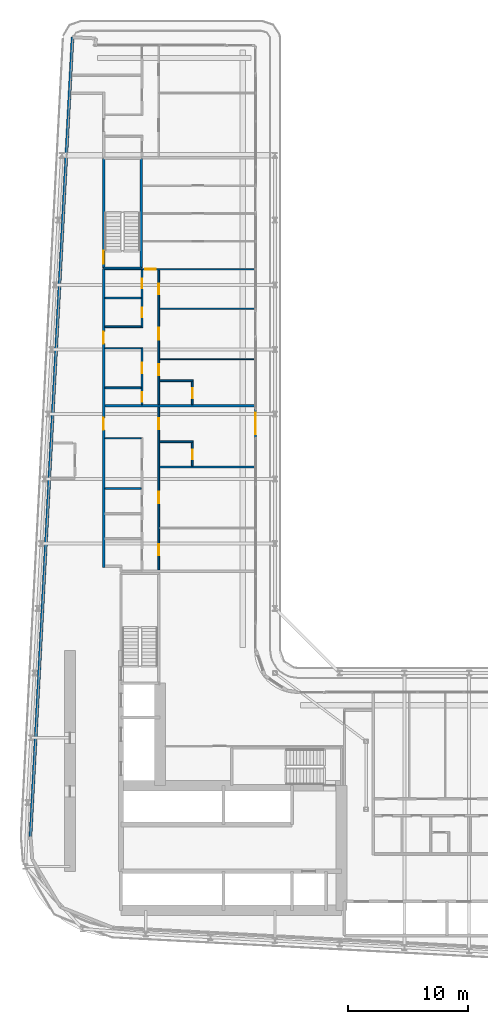
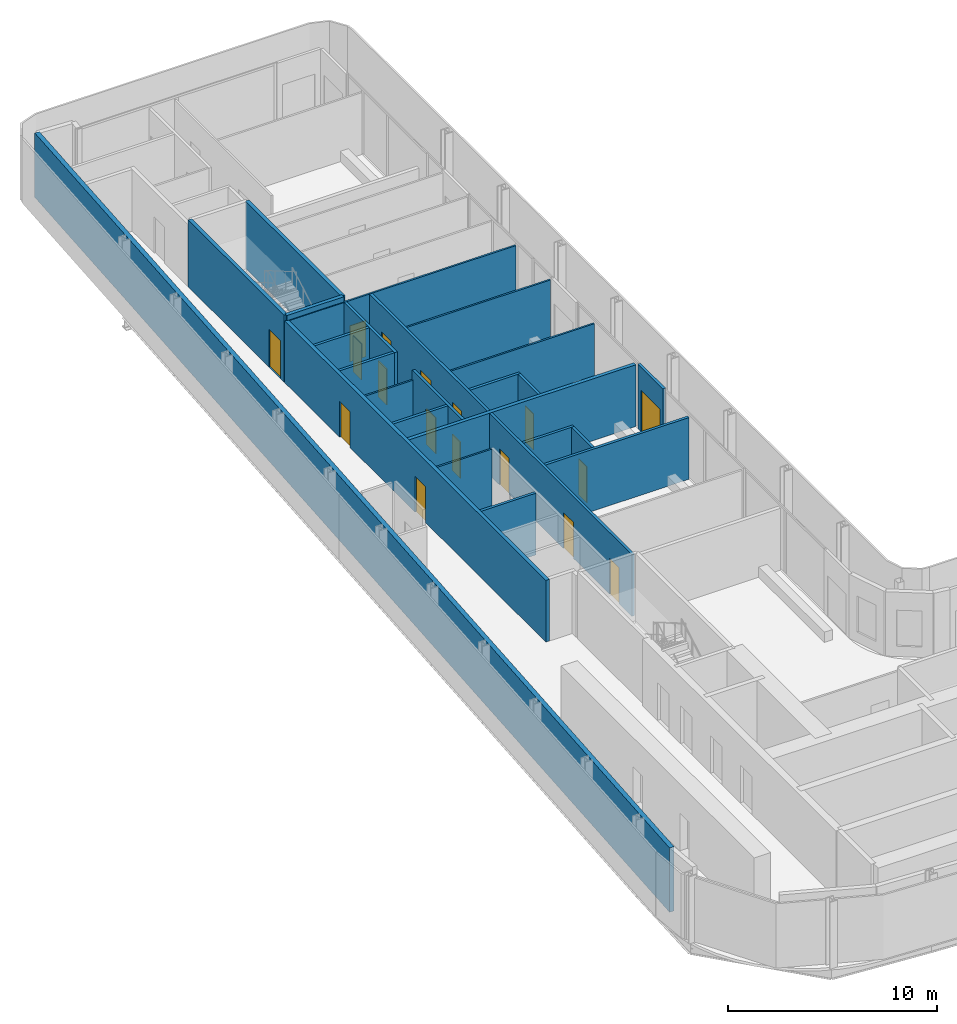
# One storey, part 17 of 28: 25 walls, 17 doors, 17 openings.
"""IFC4 building model written with IfcOpenShell, lengths in metres."""

import ifcopenshell
import ifcopenshell.guid

model = None  # the IFC model being written
_history = None  # IfcOwnerHistory: only IFC2X3 demands one
_inside = {}  # id of a spatial element -> (the spatial element, [elements in it])
_under = {}  # id of a project, library or spatial element -> (it, [spatial elements below it])
_declared = {}  # id of a project -> (the project, [libraries it declares])
_typed = {}  # id of a type object -> (the type object, [elements of that type])
_made_of = {}  # id of a material, layer set ... -> (it, [elements and type objects made of it])


def new_model(schema):
    """Start an empty IFC model of exactly this schema.

    Asked for "IFC4X3", IfcOpenShell would pick the latest addendum, in which some entities
    have other attributes; the version numbers below select the first issue.
    IFC2X3 requires an IfcOwnerHistory on every rooted entity: one is made here for all.
    """
    global model, _history
    if schema == "IFC4X3":
        model = ifcopenshell.file(schema_version=(4, 3, 0, 0))
    else:
        model = ifcopenshell.file(schema=schema)
    _inside.clear()
    _under.clear()
    _declared.clear()
    _typed.clear()
    _made_of.clear()
    _history = None
    if model.schema == "IFC2X3":
        org = make("IfcOrganization", Name="unknown")
        user = make(
            "IfcPersonAndOrganization",
            ThePerson=make("IfcPerson", FamilyName="unknown"),
            TheOrganization=org,
        )
        app = make(
            "IfcApplication",
            ApplicationDeveloper=org,
            Version="unknown",
            ApplicationFullName="unknown",
            ApplicationIdentifier="unknown",
        )
        _history = make(
            "IfcOwnerHistory",
            OwningUser=user,
            OwningApplication=app,
            ChangeAction="ADDED",
            CreationDate=0,
        )
    return model


def make(cls, **values):
    """One entity of the class cls with the attributes given. An attribute that is None is left unset."""
    return model.create_entity(
        cls, **{name: value for name, value in values.items() if value is not None}
    )


def rooted(cls, **values):
    """An entity with a GlobalId (a new one), such as an element, a storey or a relation."""
    return make(cls, GlobalId=ifcopenshell.guid.new(), OwnerHistory=_history, **values)


def si_unit(unit_type, name, prefix=None):
    """IfcSIUnit, for example si_unit("LENGTHUNIT", "METRE", prefix="MILLI")."""
    return make("IfcSIUnit", UnitType=unit_type, Prefix=prefix, Name=name)


def assignment(units):
    """IfcUnitAssignment: the units of a project."""
    return None if units is None else make("IfcUnitAssignment", Units=units)


def point(xyz):
    """IfcCartesianPoint."""
    return None if xyz is None else make("IfcCartesianPoint", Coordinates=xyz)


def direction(xyz):
    """IfcDirection."""
    return None if xyz is None else make("IfcDirection", DirectionRatios=xyz)


def frame(location, z_axis=None, x_axis=None):
    """IfcAxis2Placement3D, a coordinate frame: its origin and axes. An axis left out is left unset."""
    return make(
        "IfcAxis2Placement3D",
        Location=point(location),
        Axis=direction(z_axis),
        RefDirection=direction(x_axis),
    )


def frame_2d(location, x_axis=None):
    """IfcAxis2Placement2D, a coordinate frame in the plane: its origin and x axis."""
    return make(
        "IfcAxis2Placement2D", Location=point(location), RefDirection=direction(x_axis)
    )


def origin():
    """The frame at (0, 0, 0) with its axes left unset."""
    return frame((0.0, 0.0, 0.0))


def place(relative_to, where):
    """IfcLocalPlacement: puts the frame where relative to a parent placement (None: the world)."""
    return make(
        "IfcLocalPlacement", PlacementRelTo=relative_to, RelativePlacement=where
    )


def context(
    kind, dimensions, precision=None, world=None, true_north=None, identifier=None
):
    """IfcGeometricRepresentationContext, for example the 3D "Model" context."""
    return make(
        "IfcGeometricRepresentationContext",
        ContextIdentifier=identifier,
        ContextType=kind,
        CoordinateSpaceDimension=dimensions,
        Precision=precision,
        WorldCoordinateSystem=world,
        TrueNorth=true_north,
    )


def subcontext(parent, identifier, kind, view, scale=None):
    """IfcGeometricRepresentationSubContext, for example "Body" below "Model"."""
    return make(
        "IfcGeometricRepresentationSubContext",
        ContextIdentifier=identifier,
        ContextType=kind,
        ParentContext=parent,
        TargetScale=scale,
        TargetView=view,
    )


def project(units=None, contexts=None):
    """IfcProject with its units and contexts."""
    return rooted(
        "IfcProject",
        Name="project",
        RepresentationContexts=contexts,
        UnitsInContext=assignment(units),
    )


def spatial(cls, under=None, at=None, **own):
    """A site, building, storey or space (cls), placed at a placement, below another one or the project."""
    s = rooted(cls, ObjectPlacement=at, **own)
    if under is not None:
        _under.setdefault(under.id(), (under, []))[1].append(s)
    return s


def profile(cls, at=None, kind="AREA", **sizes):
    """A parametric profile (cls). Its sizes go by their IFC names, for example OverallWidth=200.0."""
    return make(cls, ProfileType=kind, Position=at, **sizes)


def rectangle(**sizes):
    """IfcRectangleProfileDef."""
    return profile("IfcRectangleProfileDef", **sizes)


def extrude(swept, where, along, depth):
    """IfcExtrudedAreaSolid: the profile swept, set in the frame where, extruded along a direction by depth."""
    return make(
        "IfcExtrudedAreaSolid",
        SweptArea=swept,
        Position=where,
        ExtrudedDirection=direction(along),
        Depth=depth,
    )


def shape(context_of_items, identifier, shape_type, items):
    """IfcShapeRepresentation: the items that make up one representation, for example the "Body"."""
    return make(
        "IfcShapeRepresentation",
        ContextOfItems=context_of_items,
        RepresentationIdentifier=identifier,
        RepresentationType=shape_type,
        Items=items,
    )


def source(mapping_origin, context_of_items, identifier, shape_type, items):
    """IfcRepresentationMap: a shape defined once, which mapped items show again and again."""
    return make(
        "IfcRepresentationMap",
        MappingOrigin=mapping_origin,
        MappedRepresentation=shape(context_of_items, identifier, shape_type, items),
    )


def transform(
    local_origin,
    x_axis=None,
    y_axis=None,
    z_axis=None,
    scale=None,
    scale2=None,
    scale3=None,
    uniform=True,
):
    """IfcCartesianTransformationOperator3D, or its non-uniform kind. x_axis, y_axis, z_axis: its Axis1, 2, 3."""
    if uniform:
        return make(
            "IfcCartesianTransformationOperator3D",
            Axis1=direction(x_axis),
            Axis2=direction(y_axis),
            LocalOrigin=point(local_origin),
            Scale=scale,
            Axis3=direction(z_axis),
        )
    return make(
        "IfcCartesianTransformationOperator3DnonUniform",
        Axis1=direction(x_axis),
        Axis2=direction(y_axis),
        LocalOrigin=point(local_origin),
        Scale=scale,
        Axis3=direction(z_axis),
        Scale2=scale2,
        Scale3=scale3,
    )


def mapped(mapping_source, mapping_target):
    """IfcMappedItem: shows the shape of a source again, moved by a transform."""
    return make(
        "IfcMappedItem", MappingSource=mapping_source, MappingTarget=mapping_target
    )


def material(Name=None, Category=None):
    """IfcMaterial."""
    return make("IfcMaterial", Name=Name, Category=Category)


def layer(
    of_material, thickness, ventilated=None, Name=None, Category=None, Priority=None
):
    """IfcMaterialLayer: one layer of a wall or slab, of a material (None: an air gap)."""
    return make(
        "IfcMaterialLayer",
        Material=of_material,
        LayerThickness=thickness,
        IsVentilated=ventilated,
        Name=Name,
        Category=Category,
        Priority=Priority,
    )


def layer_set(layers, Name=None):
    """IfcMaterialLayerSet."""
    return make("IfcMaterialLayerSet", MaterialLayers=layers, LayerSetName=Name)


def made_of(thing, what):
    """Note that an element or type object is made of a material, layer set ...; save() writes the relation."""
    if what is not None:
        _made_of.setdefault(what.id(), (what, []))[1].append(thing)
    return thing


def type_object(cls, material=None, **own):
    """A type object (cls), such as IfcWallType, which elements share."""
    return made_of(rooted(cls, **own), material)


def element(
    cls,
    number,
    at=None,
    inside=None,
    cuts=None,
    type_object=None,
    material=None,
    context=None,
    identifier="Body",
    shape_type=None,
    held_by="IfcProductDefinitionShape",
    body=None,
    shapes=None,
    **own,
):
    """One element of the class cls, such as IfcWall. Its Tag is "e" and its number.

    at: its placement. inside: the storey or other place that contains it. cuts: it is an
    opening in that element (IfcRelVoidsElement). A single representation is given by context,
    identifier, shape_type and body (its items); several are given by shapes. held_by: the class
    of the entity that holds the representations. save() writes the other relations.
    """
    e = rooted(cls, Tag="e%d" % number, ObjectPlacement=at, **own)
    if body is not None:
        shapes = [shape(context, identifier, shape_type, body)]
    if shapes is not None:
        e.Representation = make(held_by, Representations=shapes)
    if inside is not None:
        _inside.setdefault(inside.id(), (inside, []))[1].append(e)
    if cuts is not None:
        rooted(
            "IfcRelVoidsElement", RelatingBuildingElement=cuts, RelatedOpeningElement=e
        )
    if type_object is not None:
        _typed.setdefault(type_object.id(), (type_object, []))[1].append(e)
    return made_of(e, material)


def fill(opening, filler):
    """IfcRelFillsElement: the door or window that sits in an opening."""
    return rooted(
        "IfcRelFillsElement",
        RelatingOpeningElement=opening,
        RelatedBuildingElement=filler,
    )


def aggregate(whole, parts):
    """IfcRelAggregates: a whole, such as a stair, and the parts it consists of."""
    return rooted("IfcRelAggregates", RelatingObject=whole, RelatedObjects=parts)


def save(model, path):
    """Write the relations noted so far, then the file.

    IfcRelAggregates (storeys below a building ...), IfcRelContainedInSpatialStructure (elements
    in a storey), IfcRelDefinesByType, IfcRelAssociatesMaterial and IfcRelDeclares: one each for
    every whole, place, type object, material and project.
    """
    for whole, parts in _under.values():
        aggregate(whole, parts)
    for where, things in _inside.values():
        rooted(
            "IfcRelContainedInSpatialStructure",
            RelatedElements=things,
            RelatingStructure=where,
        )
    for kind, things in _typed.values():
        rooted("IfcRelDefinesByType", RelatedObjects=things, RelatingType=kind)
    for what, things in _made_of.values():
        rooted("IfcRelAssociatesMaterial", RelatedObjects=things, RelatingMaterial=what)
    for by, libraries in _declared.values():
        rooted("IfcRelDeclares", RelatingContext=by, RelatedDefinitions=libraries)
    model.write(path)


model = new_model("IFC4")

# Units and contexts
model_context = context("Model", 3, precision=1e-05, world=origin(), true_north=direction((0.0, 1.0)))
body_context = subcontext(model_context, "Body", "Model", "MODEL_VIEW")
ifc_project = project(units=[si_unit("LENGTHUNIT", "METRE"), si_unit("AREAUNIT", "SQUARE_METRE"), si_unit("VOLUMEUNIT", "CUBIC_METRE"), si_unit("PLANEANGLEUNIT", "RADIAN"), si_unit("MASSUNIT", "GRAM", prefix="KILO")], contexts=[model_context])

# Site, building, storey
site_placement = place(None, origin())
site = spatial("IfcSite", under=ifc_project, at=site_placement, CompositionType="ELEMENT")
building_placement = place(site_placement, origin())
building = spatial("IfcBuilding", under=site, at=building_placement, Name="Kheshtan School and Residences Tower", CompositionType="ELEMENT")
storey_placement = place(building_placement, frame((0.0, 0.0, 140.89990234375)))
storey = spatial("IfcBuildingStorey", under=building, at=storey_placement, Name="L33", CompositionType="ELEMENT", Elevation=140.89990234375)

# Wall, openings, doors
ifc_material_1 = material(Name="Gypsum board on steel studs with fire boards", Category="steel")
ifc_layer_1 = layer(ifc_material_1, 0.199951171875)
ifc_layer_set_1 = layer_set([ifc_layer_1], Name="Corridor wall 200")
wall_type_1 = type_object("IfcWallType", Name="Corridor wall 200", PredefinedType="PARTITIONING", material=ifc_layer_set_1)
wall_1_placement = place(storey_placement, frame((33.300048828125, 54.39990234375, 0.0), z_axis=(0.0, 0.0, 1.0), x_axis=(0.0, 1.0, 0.0)))
wall_1 = element("IfcWall", 1, at=wall_1_placement, inside=storey, type_object=wall_type_1, Name="Partition L33-003", PredefinedType="PARTITIONING", context=body_context, shape_type="SweptSolid", body=[
    extrude(rectangle(XDim=24.9501953125, YDim=0.199951171875, at=frame_2d((12.47509765625, 0.0))), origin(), (0.0, 0.0, 1.0), 3.60009765625),
])
opening_1_placement = place(wall_1_placement, frame((11.5, 0.0, 0.0)))
opening_1 = element("IfcOpeningElement", 2, at=opening_1_placement, cuts=wall_1, Name="Opening D32-038", PredefinedType="OPENING", context=body_context, shape_type="SweptSolid", body=[
    extrude(rectangle(XDim=1.0, YDim=2.10009765625, at=frame_2d((0.5, 1.050048828125))), frame((0.0, 0.10986328125, 0.0), z_axis=(0.0, -1.0, 0.0), x_axis=(1.0, 0.0, 0.0)), (0.0, 0.0, 1.0), 0.219970703125),
])
opening_2_placement = place(wall_1_placement, frame((18.699951171875, 0.0, 0.0)))
opening_2 = element("IfcOpeningElement", 3, at=opening_2_placement, cuts=wall_1, Name="Opening D32-048", PredefinedType="OPENING", context=body_context, shape_type="SweptSolid", body=[
    extrude(rectangle(XDim=1.0, YDim=2.10009765625, at=frame_2d((0.5, 1.050048828125))), frame((0.0, 0.10986328125, 0.0), z_axis=(0.0, -1.0, 0.0), x_axis=(1.0, 0.0, 0.0)), (0.0, 0.0, 1.0), 0.219970703125),
])
ifc_material_2 = material(Name="Steel-framed fire-resisting door leaf", Category="steel")
door_type_1 = type_object("IfcDoorType", Name="Fire door FD30S 1000 x 2100", OperationType="SINGLE_SWING_LEFT", PredefinedType="DOOR", material=ifc_material_2)
shared_shape_1 = source(origin(), body_context, "Body", "SweptSolid", [
    extrude(rectangle(XDim=1.0, YDim=2.10009765625, at=frame_2d((0.5, 1.050048828125))), frame((0.0, 0.02490234375, 0.0), z_axis=(0.0, -1.0, 0.0), x_axis=(1.0, 0.0, 0.0)), (0.0, 0.0, 1.0), 0.050048828125),
])
door_1_placement = place(opening_1_placement, origin())
door_1 = element("IfcDoor", 4, at=door_1_placement, inside=storey, type_object=door_type_1, Name="Door D32-038", OperationType="SINGLE_SWING_RIGHT", OverallHeight=2.10009765625, OverallWidth=1.0, PredefinedType="DOOR", context=body_context, shape_type="MappedRepresentation", body=[
    mapped(shared_shape_1, transform((0.0, 0.0, 0.0), x_axis=(1.0, 0.0, 0.0), y_axis=(0.0, 1.0, 0.0), z_axis=(0.0, 0.0, 1.0), scale=1.0)),
])
fill(opening_1, door_1)
door_2_placement = place(opening_2_placement, origin())
door_2 = element("IfcDoor", 5, at=door_2_placement, inside=storey, type_object=door_type_1, Name="Door D32-048", OperationType="SINGLE_SWING_RIGHT", OverallHeight=2.10009765625, OverallWidth=1.0, PredefinedType="DOOR", context=body_context, shape_type="MappedRepresentation", body=[
    mapped(shared_shape_1, transform((0.0, 0.0, 0.0), x_axis=(1.0, 0.0, 0.0), y_axis=(0.0, 1.0, 0.0), z_axis=(0.0, 0.0, 1.0), scale=1.0)),
])
fill(opening_2, door_2)

# Wall
ifc_material_3 = material(Name="Concrete C40/50 with ceramic cladding and mineral wool insulation", Category="concrete")
ifc_layer_2 = layer(ifc_material_3, 0.25)
ifc_layer_set_2 = layer_set([ifc_layer_2], Name="External wall 250 ceramic clad")
wall_type_2 = type_object("IfcWallType", Name="External wall 250 ceramic clad", PredefinedType="SOLIDWALL", material=ifc_layer_set_2)
wall_2_placement = place(storey_placement, frame((27.195068359375, 31.968994140625, 0.0), z_axis=(0.0, 0.0, 1.0), x_axis=(0.052554995867, 0.998618031286, 0.0)))
element("IfcWall", 6, at=wall_2_placement, inside=storey, type_object=wall_type_2, Name="External wall L33 4", PredefinedType="SOLIDWALL", context=body_context, shape_type="SweptSolid", body=[
    extrude(rectangle(XDim=66.787353515625, YDim=0.25, at=frame_2d((33.3935546875, 0.0))), origin(), (0.0, 0.0, 1.0), 3.75),
])

# Wall, opening, door
ifc_material_4 = material(Name="Aluminium frame wall with insulated infill", Category="aluminium")
ifc_layer_3 = layer(ifc_material_4, 0.14990234375)
ifc_layer_set_3 = layer_set([ifc_layer_3], Name="Glazing frame wall 150")
wall_type_3 = type_object("IfcWallType", Name="Glazing frame wall 150", PredefinedType="SOLIDWALL", material=ifc_layer_set_3)
wall_3_placement = place(storey_placement, frame((45.97509765625, 67.617919921875, 0.0), z_axis=(0.0, 0.0, 1.0), x_axis=(0.0, -1.0, 0.0)))
wall_3 = element("IfcWall", 7, at=wall_3_placement, inside=storey, type_object=wall_type_3, Name="Balcony door wall L33 8.4", PredefinedType="SOLIDWALL", context=body_context, shape_type="SweptSolid", body=[
    extrude(rectangle(XDim=2.39990234375, YDim=0.14990234375, at=frame_2d((1.199951171875, 0.0))), origin(), (0.0, 0.0, 1.0), 3.75),
])
opening_3_placement = place(wall_3_placement, frame((0.300048828125, 0.0, 0.0)))
opening_3 = element("IfcOpeningElement", 8, at=opening_3_placement, cuts=wall_3, Name="Opening BD", PredefinedType="OPENING", context=body_context, shape_type="SweptSolid", body=[
    extrude(rectangle(XDim=1.800048828125, YDim=2.39990234375, at=frame_2d((0.89990234375, 1.199951171875))), frame((0.0, 0.0849609375, 0.0), z_axis=(0.0, -1.0, 0.0), x_axis=(1.0, 0.0, 0.0)), (0.0, 0.0, 1.0), 0.169921875),
])
ifc_material_5 = material(Name="Clear low-e glass in thermally broken aluminium frame", Category="aluminium")
door_type_2 = type_object("IfcDoorType", Name="Balcony sliding door", OperationType="SLIDING_TO_LEFT", PredefinedType="DOOR", material=ifc_material_5)
shared_shape_2 = source(origin(), body_context, "Body", "SweptSolid", [
    extrude(rectangle(XDim=1.800048828125, YDim=2.39990234375, at=frame_2d((0.89990234375, 1.199951171875))), frame((0.0, 0.02490234375, 0.0), z_axis=(0.0, -1.0, 0.0), x_axis=(1.0, 0.0, 0.0)), (0.0, 0.0, 1.0), 0.050048828125),
])
door_3_placement = place(opening_3_placement, origin())
door_3 = element("IfcDoor", 9, at=door_3_placement, inside=storey, type_object=door_type_2, Name="Balcony door L33 8.4", OperationType="SLIDING_TO_LEFT", OverallHeight=2.39990234375, OverallWidth=1.800048828125, PredefinedType="DOOR", context=body_context, shape_type="MappedRepresentation", body=[
    mapped(shared_shape_2, transform((0.0, 0.0, 0.0), x_axis=(1.0, 0.0, 0.0), y_axis=(0.0, 1.0, 0.0), z_axis=(0.0, 0.0, 1.0), scale=1.0)),
])
fill(opening_3, door_3)

# Walls
ifc_material_6 = material(Name="Gypsum board on steel studs", Category="steel")
ifc_layer_4 = layer(ifc_material_6, 0.10009765625)
ifc_layer_set_4 = layer_set([ifc_layer_4], Name="Gypsum partition 100")
wall_type_4 = type_object("IfcWallType", Name="Gypsum partition 100", PredefinedType="PARTITIONING", material=ifc_layer_set_4)
wall_4_placement = place(storey_placement, frame((33.39990234375, 65.199951171875, 0.0), z_axis=(0.0, 0.0, 1.0), x_axis=(1.0, 0.0, 0.0)))
element("IfcWall", 10, at=wall_4_placement, inside=storey, type_object=wall_type_4, Name="Partition L33-009", PredefinedType="PARTITIONING", context=body_context, shape_type="SweptSolid", body=[
    extrude(rectangle(XDim=3.025146484375, YDim=0.10009765625, at=frame_2d((1.5126953125, 0.0))), origin(), (0.0, 0.0, 1.0), 3.60009765625),
])
wall_5_placement = place(storey_placement, frame((33.39990234375, 72.699951171875, 0.0), z_axis=(0.0, 0.0, 1.0), x_axis=(1.0, 0.0, 0.0)))
element("IfcWall", 11, at=wall_5_placement, inside=storey, type_object=wall_type_4, Name="Partition L33-012", PredefinedType="PARTITIONING", context=body_context, shape_type="SweptSolid", body=[
    extrude(rectangle(XDim=3.025146484375, YDim=0.10009765625, at=frame_2d((1.5126953125, 0.0))), origin(), (0.0, 0.0, 1.0), 3.072021484375),
])

# Wall, opening, door
wall_6_placement = place(storey_placement, frame((33.39990234375, 79.300048828125, 0.0), z_axis=(0.0, 0.0, 1.0), x_axis=(1.0, 0.0, 0.0)))
wall_6 = element("IfcWall", 12, at=wall_6_placement, inside=storey, type_object=wall_type_4, Name="Partition L33-015", PredefinedType="PARTITIONING", context=body_context, shape_type="SweptSolid", body=[
    extrude(rectangle(XDim=12.5, YDim=0.10009765625, at=frame_2d((6.25, 0.0))), origin(), (0.0, 0.0, 1.0), 3.60009765625),
])
opening_4_placement = place(wall_6_placement, frame((3.35498046875, 0.0, 0.0)))
opening_4 = element("IfcOpeningElement", 13, at=opening_4_placement, cuts=wall_6, Name="Opening D32-053", PredefinedType="OPENING", context=body_context, shape_type="SweptSolid", body=[
    extrude(rectangle(XDim=0.89990234375, YDim=2.10009765625, at=frame_2d((0.449951171875, 1.050048828125))), frame((0.0, 0.06005859375, 0.0), z_axis=(0.0, -1.0, 0.0), x_axis=(1.0, 0.0, 0.0)), (0.0, 0.0, 1.0), 0.1201171875),
])
ifc_material_7 = material(Name="Veneered timber door leaf", Category="wood")
door_type_3 = type_object("IfcDoorType", Name="Door 900 x 2100", OperationType="SINGLE_SWING_LEFT", PredefinedType="DOOR", material=ifc_material_7)
shared_shape_3 = source(origin(), body_context, "Body", "SweptSolid", [
    extrude(rectangle(XDim=0.89990234375, YDim=2.10009765625, at=frame_2d((0.449951171875, 1.050048828125))), frame((0.0, 0.02490234375, 0.0), z_axis=(0.0, -1.0, 0.0), x_axis=(1.0, 0.0, 0.0)), (0.0, 0.0, 1.0), 0.050048828125),
])
door_4_placement = place(opening_4_placement, origin())
door_4 = element("IfcDoor", 14, at=door_4_placement, inside=storey, type_object=door_type_3, Name="Door D32-053", OperationType="SINGLE_SWING_LEFT", OverallHeight=2.10009765625, OverallWidth=0.89990234375, PredefinedType="DOOR", context=body_context, shape_type="MappedRepresentation", body=[
    mapped(shared_shape_3, transform((0.0, 0.0, 0.0), x_axis=(1.0, 0.0, 0.0), y_axis=(0.0, 1.0, 0.0), z_axis=(0.0, 0.0, 1.0), scale=1.0)),
])
fill(opening_4, door_4)

# Walls
for number, where, z_axis, x_axis, name in (
    (15, (37.97509765625, 71.800048828125, 0.0), (0.0, 0.0, 1.0), (1.0, 0.0, 0.0), "Partition L33-038"),
    (16, (37.97509765625, 76.0, 0.0), (0.0, 0.0, 1.0), (1.0, 0.0, 0.0), "Partition L33-039"),
):
    element("IfcWall", number, at=place(storey_placement, frame(where, z_axis=z_axis, x_axis=x_axis)), inside=storey, type_object=wall_type_4, Name=name, PredefinedType="PARTITIONING", context=body_context, shape_type="SweptSolid", body=[
        extrude(rectangle(XDim=7.9248046875, YDim=0.10009765625, at=frame_2d((3.96240234375, 0.0))), origin(), (0.0, 0.0, 1.0), 3.60009765625),
    ])
ifc_material_8 = material(Name="Concrete C40/50", Category="concrete")
ifc_layer_5 = layer(ifc_material_8, 0.199951171875)
ifc_layer_set_5 = layer_set([ifc_layer_5], Name="Stair enclosure wall 200 Concrete C40/50")
wall_type_5 = type_object("IfcWallType", Name="Stair enclosure wall 200 Concrete C40/50", PredefinedType="SHEAR", material=ifc_layer_set_5)
wall_7_placement = place(storey_placement, frame((33.300048828125, 79.39990234375, 0.0), z_axis=(0.0, 0.0, 1.0), x_axis=(1.0, 0.0, 0.0)))
element("IfcWall", 17, at=wall_7_placement, inside=storey, type_object=wall_type_5, Name="Stair enclosure wall ST3", PredefinedType="SHEAR", context=body_context, shape_type="SweptSolid", body=[
    extrude(rectangle(XDim=3.14990234375, YDim=0.199951171875, at=frame_2d((1.574951171875, 0.0))), origin(), (0.0, 0.0, 1.0), 3.900146484375),
])

# Wall, opening, door
wall_8_placement = place(storey_placement, frame((33.300048828125, 79.39990234375, 0.0), z_axis=(0.0, 0.0, 1.0), x_axis=(0.0, 1.0, 0.0)))
wall_8 = element("IfcWall", 18, at=wall_8_placement, inside=storey, type_object=wall_type_5, Name="Stair enclosure wall ST3", PredefinedType="SHEAR", context=body_context, shape_type="SweptSolid", body=[
    extrude(rectangle(XDim=9.16015625, YDim=0.199951171875, at=frame_2d((4.580078125, 0.0))), origin(), (0.0, 0.0, 1.0), 3.900146484375),
])
opening_5_placement = place(wall_8_placement, frame((0.35009765625, 0.0, 0.0)))
opening_5 = element("IfcOpeningElement", 19, at=opening_5_placement, cuts=wall_8, Name="Opening ST3D", PredefinedType="OPENING", context=body_context, shape_type="SweptSolid", body=[
    extrude(rectangle(XDim=1.10009765625, YDim=2.199951171875, at=frame_2d((0.550048828125, 1.10009765625))), frame((0.0, 0.10986328125, 0.0), z_axis=(0.0, -1.0, 0.0), x_axis=(1.0, 0.0, 0.0)), (0.0, 0.0, 1.0), 0.219970703125),
])
ifc_material_9 = material(Name="Steel door leaf, galvanised", Category="steel")
door_type_4 = type_object("IfcDoorType", Name="Stair door 1100 steel 90 min", OperationType="SINGLE_SWING_LEFT", PredefinedType="DOOR", material=ifc_material_9)
shared_shape_4 = source(origin(), body_context, "Body", "SweptSolid", [
    extrude(rectangle(XDim=1.10009765625, YDim=2.199951171875, at=frame_2d((0.550048828125, 1.10009765625))), frame((0.0, 0.02490234375, 0.0), z_axis=(0.0, -1.0, 0.0), x_axis=(1.0, 0.0, 0.0)), (0.0, 0.0, 1.0), 0.050048828125),
])
door_5_placement = place(opening_5_placement, origin())
door_5 = element("IfcDoor", 20, at=door_5_placement, inside=storey, type_object=door_type_4, Name="Stair ST3 door", OperationType="SINGLE_SWING_RIGHT", OverallHeight=2.199951171875, OverallWidth=1.10009765625, PredefinedType="DOOR", context=body_context, shape_type="MappedRepresentation", body=[
    mapped(shared_shape_4, transform((0.0, 0.0, 0.0), x_axis=(1.0, 0.0, 0.0), y_axis=(0.0, 1.0, 0.0), z_axis=(0.0, 0.0, 1.0), scale=1.0)),
])
fill(opening_5, door_5)

# Walls
wall_9_placement = place(storey_placement, frame((36.449951171875, 79.39990234375, 0.0), z_axis=(0.0, 0.0, 1.0), x_axis=(0.0, 1.0, 0.0)))
element("IfcWall", 21, at=wall_9_placement, inside=storey, type_object=wall_type_5, Name="Stair enclosure wall ST3", PredefinedType="SHEAR", context=body_context, shape_type="SweptSolid", body=[
    extrude(rectangle(XDim=9.16015625, YDim=0.199951171875, at=frame_2d((4.580078125, 0.0))), origin(), (0.0, 0.0, 1.0), 3.900146484375),
])
ifc_material_10 = material(Name="Twin gypsum board on steel studs with mineral wool", Category="steel")
ifc_layer_6 = layer(ifc_material_10, 0.199951171875)
ifc_layer_set_6 = layer_set([ifc_layer_6], Name="Unit demising wall 200")
wall_type_6 = type_object("IfcWallType", Name="Unit demising wall 200", PredefinedType="PARTITIONING", material=ifc_layer_set_6)
wall_10_placement = place(storey_placement, frame((33.39990234375, 67.89990234375, 0.0), z_axis=(0.0, 0.0, 1.0), x_axis=(1.0, 0.0, 0.0)))
element("IfcWall", 22, at=wall_10_placement, inside=storey, type_object=wall_type_6, Name="Partition L33-010", PredefinedType="PARTITIONING", context=body_context, shape_type="SweptSolid", body=[
    extrude(rectangle(XDim=12.5, YDim=0.199951171875, at=frame_2d((6.25, 0.0))), origin(), (0.0, 0.0, 1.0), 3.60009765625),
])
ifc_material_11 = material(Name="Moisture-resistant gypsum board on steel studs", Category="steel")
ifc_layer_7 = layer(ifc_material_11, 0.14990234375)
ifc_layer_set_7 = layer_set([ifc_layer_7], Name="Wet-room partition 150")
wall_type_7 = type_object("IfcWallType", Name="Wet-room partition 150", PredefinedType="PARTITIONING", material=ifc_layer_set_7)
for number, where, z_axis, x_axis, name in (
    (23, (33.39990234375, 61.0, 0.0), (0.0, 0.0, 1.0), (1.0, 0.0, 0.0), "Partition L33-008"),
    (24, (33.39990234375, 69.39990234375, 0.0), (0.0, 0.0, 1.0), (1.0, 0.0, 0.0), "Partition L33-011"),
    (25, (33.39990234375, 74.5, 0.0), (0.0, 0.0, 1.0), (1.0, 0.0, 0.0), "Partition L33-013"),
    (26, (33.39990234375, 76.89990234375, 0.0), (0.0, 0.0, 1.0), (1.0, 0.0, 0.0), "Partition L33-014"),
):
    element("IfcWall", number, at=place(storey_placement, frame(where, z_axis=z_axis, x_axis=x_axis)), inside=storey, type_object=wall_type_7, Name=name, PredefinedType="PARTITIONING", context=body_context, shape_type="SweptSolid", body=[
        extrude(rectangle(XDim=3.025146484375, YDim=0.14990234375, at=frame_2d((1.5126953125, 0.0))), origin(), (0.0, 0.0, 1.0), 3.60009765625),
    ])

# Wall, openings, doors
wall_11_placement = place(storey_placement, frame((36.5, 68.0, 0.0), z_axis=(0.0, 0.0, 1.0), x_axis=(0.0, 1.0, 0.0)))
wall_11 = element("IfcWall", 27, at=wall_11_placement, inside=storey, type_object=wall_type_7, Name="Partition L33-023", PredefinedType="PARTITIONING", context=body_context, shape_type="SweptSolid", body=[
    extrude(rectangle(XDim=4.75, YDim=0.14990234375, at=frame_2d((2.375, 0.0))), origin(), (0.0, 0.0, 1.0), 3.60009765625),
])
opening_6_placement = place(wall_11_placement, frame((2.60009765625, 0.0, 0.0)))
opening_6 = element("IfcOpeningElement", 28, at=opening_6_placement, cuts=wall_11, Name="Opening D32-049", PredefinedType="OPENING", context=body_context, shape_type="SweptSolid", body=[
    extrude(rectangle(XDim=0.89990234375, YDim=2.10009765625, at=frame_2d((0.449951171875, 1.050048828125))), frame((0.0, 0.0849609375, 0.0), z_axis=(0.0, -1.0, 0.0), x_axis=(1.0, 0.0, 0.0)), (0.0, 0.0, 1.0), 0.169921875),
])
opening_7_placement = place(wall_11_placement, frame((0.25, 0.0, 0.0)))
opening_7 = element("IfcOpeningElement", 29, at=opening_7_placement, cuts=wall_11, Name="Opening D32-052", PredefinedType="OPENING", context=body_context, shape_type="SweptSolid", body=[
    extrude(rectangle(XDim=0.800048828125, YDim=2.10009765625, at=frame_2d((0.39990234375, 1.050048828125))), frame((0.0, 0.0849609375, 0.0), z_axis=(0.0, -1.0, 0.0), x_axis=(1.0, 0.0, 0.0)), (0.0, 0.0, 1.0), 0.169921875),
])
door_type_5 = type_object("IfcDoorType", Name="Door 800 x 2100", OperationType="SINGLE_SWING_LEFT", PredefinedType="DOOR", material=ifc_material_7)
shared_shape_5 = source(origin(), body_context, "Body", "SweptSolid", [
    extrude(rectangle(XDim=0.800048828125, YDim=2.10009765625, at=frame_2d((0.39990234375, 1.050048828125))), frame((0.0, 0.02490234375, 0.0), z_axis=(0.0, -1.0, 0.0), x_axis=(1.0, 0.0, 0.0)), (0.0, 0.0, 1.0), 0.050048828125),
])
door_6_placement = place(opening_7_placement, origin())
door_6 = element("IfcDoor", 30, at=door_6_placement, inside=storey, type_object=door_type_5, Name="Door D32-052", OperationType="SINGLE_SWING_RIGHT", OverallHeight=2.10009765625, OverallWidth=0.800048828125, PredefinedType="DOOR", context=body_context, shape_type="MappedRepresentation", body=[
    mapped(shared_shape_5, transform((0.0, 0.0, 0.0), x_axis=(1.0, 0.0, 0.0), y_axis=(0.0, 1.0, 0.0), z_axis=(0.0, 0.0, 1.0), scale=1.0)),
])
fill(opening_7, door_6)
door_7_placement = place(opening_6_placement, origin())
door_7 = element("IfcDoor", 31, at=door_7_placement, inside=storey, type_object=door_type_3, Name="Door D32-049", OperationType="SINGLE_SWING_RIGHT", OverallHeight=2.10009765625, OverallWidth=0.89990234375, PredefinedType="DOOR", context=body_context, shape_type="MappedRepresentation", body=[
    mapped(shared_shape_3, transform((0.0, 0.0, 0.0), x_axis=(1.0, 0.0, 0.0), y_axis=(0.0, 1.0, 0.0), z_axis=(0.0, 0.0, 1.0), scale=1.0)),
])
fill(opening_6, door_7)

wall_12_placement = place(storey_placement, frame((36.5, 74.425048828125, 0.0), z_axis=(0.0, 0.0, 1.0), x_axis=(0.0, 1.0, 0.0)))
wall_12 = element("IfcWall", 32, at=wall_12_placement, inside=storey, type_object=wall_type_7, Name="Partition L33-024", PredefinedType="PARTITIONING", context=body_context, shape_type="SweptSolid", body=[
    extrude(rectangle(XDim=4.824951171875, YDim=0.14990234375, at=frame_2d((2.41259765625, 0.0))), origin(), (0.0, 0.0, 1.0), 3.60009765625),
])
opening_8_placement = place(wall_12_placement, frame((0.875, 0.0, 0.0)))
opening_8 = element("IfcOpeningElement", 33, at=opening_8_placement, cuts=wall_12, Name="Opening D32-044", PredefinedType="OPENING", context=body_context, shape_type="SweptSolid", body=[
    extrude(rectangle(XDim=0.800048828125, YDim=2.10009765625, at=frame_2d((0.39990234375, 1.050048828125))), frame((0.0, 0.0849609375, 0.0), z_axis=(0.0, -1.0, 0.0), x_axis=(1.0, 0.0, 0.0)), (0.0, 0.0, 1.0), 0.169921875),
])
opening_9_placement = place(wall_12_placement, frame((3.27490234375, 0.0, 0.0)))
opening_9 = element("IfcOpeningElement", 34, at=opening_9_placement, cuts=wall_12, Name="Opening D32-046", PredefinedType="OPENING", context=body_context, shape_type="SweptSolid", body=[
    extrude(rectangle(XDim=0.800048828125, YDim=2.10009765625, at=frame_2d((0.39990234375, 1.050048828125))), frame((0.0, 0.0849609375, 0.0), z_axis=(0.0, -1.0, 0.0), x_axis=(1.0, 0.0, 0.0)), (0.0, 0.0, 1.0), 0.169921875),
])
door_8_placement = place(opening_8_placement, origin())
door_8 = element("IfcDoor", 35, at=door_8_placement, inside=storey, type_object=door_type_5, Name="Door D32-044", OperationType="SINGLE_SWING_LEFT", OverallHeight=2.10009765625, OverallWidth=0.800048828125, PredefinedType="DOOR", context=body_context, shape_type="MappedRepresentation", body=[
    mapped(shared_shape_5, transform((0.0, 0.0, 0.0), x_axis=(1.0, 0.0, 0.0), y_axis=(0.0, 1.0, 0.0), z_axis=(0.0, 0.0, 1.0), scale=1.0)),
])
fill(opening_8, door_8)
door_9_placement = place(opening_9_placement, origin())
door_9 = element("IfcDoor", 36, at=door_9_placement, inside=storey, type_object=door_type_5, Name="Door D32-046", OperationType="SINGLE_SWING_LEFT", OverallHeight=2.10009765625, OverallWidth=0.800048828125, PredefinedType="DOOR", context=body_context, shape_type="MappedRepresentation", body=[
    mapped(shared_shape_5, transform((0.0, 0.0, 0.0), x_axis=(1.0, 0.0, 0.0), y_axis=(0.0, 1.0, 0.0), z_axis=(0.0, 0.0, 1.0), scale=1.0)),
])
fill(opening_9, door_9)

wall_13_placement = place(storey_placement, frame((37.89990234375, 54.199951171875, 0.0), z_axis=(0.0, 0.0, 1.0), x_axis=(0.0, 1.0, 0.0)))
wall_13 = element("IfcWall", 37, at=wall_13_placement, inside=storey, type_object=wall_type_7, Name="Partition L33-030", PredefinedType="PARTITIONING", context=body_context, shape_type="SweptSolid", body=[
    extrude(rectangle(XDim=13.60009765625, YDim=0.14990234375, at=frame_2d((6.800048828125, 0.0))), origin(), (0.0, 0.0, 1.0), 3.60009765625),
])
opening_10_placement = place(wall_13_placement, frame((1.25, 0.0, 0.0)))
opening_10 = element("IfcOpeningElement", 38, at=opening_10_placement, cuts=wall_13, Name="Opening D32-036", PredefinedType="OPENING", context=body_context, shape_type="SweptSolid", body=[
    extrude(rectangle(XDim=0.89990234375, YDim=2.10009765625, at=frame_2d((0.449951171875, 1.050048828125))), frame((0.0, 0.0849609375, 0.0), z_axis=(0.0, -1.0, 0.0), x_axis=(1.0, 0.0, 0.0)), (0.0, 0.0, 1.0), 0.169921875),
])
opening_11_placement = place(wall_13_placement, frame((5.550048828125, 0.0, 0.0)))
opening_11 = element("IfcOpeningElement", 39, at=opening_11_placement, cuts=wall_13, Name="Opening D32-040", PredefinedType="OPENING", context=body_context, shape_type="SweptSolid", body=[
    extrude(rectangle(XDim=1.0, YDim=2.10009765625, at=frame_2d((0.5, 1.050048828125))), frame((0.0, 0.0849609375, 0.0), z_axis=(0.0, -1.0, 0.0), x_axis=(1.0, 0.0, 0.0)), (0.0, 0.0, 1.0), 0.169921875),
])
opening_12_placement = place(wall_13_placement, frame((11.75, 0.0, 0.0)))
opening_12 = element("IfcOpeningElement", 40, at=opening_12_placement, cuts=wall_13, Name="Opening D32-041", PredefinedType="OPENING", context=body_context, shape_type="SweptSolid", body=[
    extrude(rectangle(XDim=0.89990234375, YDim=2.10009765625, at=frame_2d((0.449951171875, 1.050048828125))), frame((0.0, 0.0849609375, 0.0), z_axis=(0.0, -1.0, 0.0), x_axis=(1.0, 0.0, 0.0)), (0.0, 0.0, 1.0), 0.169921875),
])
door_type_6 = type_object("IfcDoorType", Name="Door 1000 x 2100", OperationType="SINGLE_SWING_LEFT", PredefinedType="DOOR", material=ifc_material_7)
shared_shape_6 = source(origin(), body_context, "Body", "SweptSolid", [
    extrude(rectangle(XDim=1.0, YDim=2.10009765625, at=frame_2d((0.5, 1.050048828125))), frame((0.0, 0.02490234375, 0.0), z_axis=(0.0, -1.0, 0.0), x_axis=(1.0, 0.0, 0.0)), (0.0, 0.0, 1.0), 0.050048828125),
])
door_10_placement = place(opening_11_placement, origin())
door_10 = element("IfcDoor", 41, at=door_10_placement, inside=storey, type_object=door_type_6, Name="Door D32-040", OperationType="SINGLE_SWING_RIGHT", OverallHeight=2.10009765625, OverallWidth=1.0, PredefinedType="DOOR", context=body_context, shape_type="MappedRepresentation", body=[
    mapped(shared_shape_6, transform((0.0, 0.0, 0.0), x_axis=(1.0, 0.0, 0.0), y_axis=(0.0, 1.0, 0.0), z_axis=(0.0, 0.0, 1.0), scale=1.0)),
])
fill(opening_11, door_10)
door_11_placement = place(opening_10_placement, origin())
door_11 = element("IfcDoor", 42, at=door_11_placement, inside=storey, type_object=door_type_3, Name="Door D32-036", OperationType="SINGLE_SWING_LEFT", OverallHeight=2.10009765625, OverallWidth=0.89990234375, PredefinedType="DOOR", context=body_context, shape_type="MappedRepresentation", body=[
    mapped(shared_shape_3, transform((0.0, 0.0, 0.0), x_axis=(1.0, 0.0, 0.0), y_axis=(0.0, 1.0, 0.0), z_axis=(0.0, 0.0, 1.0), scale=1.0)),
])
fill(opening_10, door_11)
door_12_placement = place(opening_12_placement, origin())
door_12 = element("IfcDoor", 43, at=door_12_placement, inside=storey, type_object=door_type_3, Name="Door D32-041", OperationType="SINGLE_SWING_RIGHT", OverallHeight=2.10009765625, OverallWidth=0.89990234375, PredefinedType="DOOR", context=body_context, shape_type="MappedRepresentation", body=[
    mapped(shared_shape_3, transform((0.0, 0.0, 0.0), x_axis=(1.0, 0.0, 0.0), y_axis=(0.0, 1.0, 0.0), z_axis=(0.0, 0.0, 1.0), scale=1.0)),
])
fill(opening_12, door_12)

wall_14_placement = place(storey_placement, frame((37.89990234375, 68.0, 0.0), z_axis=(0.0, 0.0, 1.0), x_axis=(0.0, 1.0, 0.0)))
wall_14 = element("IfcWall", 44, at=wall_14_placement, inside=storey, type_object=wall_type_7, Name="Partition L33-031", PredefinedType="PARTITIONING", context=body_context, shape_type="SweptSolid", body=[
    extrude(rectangle(XDim=11.25, YDim=0.14990234375, at=frame_2d((5.625, 0.0))), origin(), (0.0, 0.0, 1.0), 3.60009765625),
])
opening_13_placement = place(wall_14_placement, frame((9.199951171875, 0.0, 0.0)))
opening_13 = element("IfcOpeningElement", 45, at=opening_13_placement, cuts=wall_14, Name="Opening D32-045", PredefinedType="OPENING", context=body_context, shape_type="SweptSolid", body=[
    extrude(rectangle(XDim=0.89990234375, YDim=2.10009765625, at=frame_2d((0.449951171875, 1.050048828125))), frame((0.0, 0.0849609375, 0.0), z_axis=(0.0, -1.0, 0.0), x_axis=(1.0, 0.0, 0.0)), (0.0, 0.0, 1.0), 0.169921875),
])
opening_14_placement = place(wall_14_placement, frame((5.39990234375, 0.0, 0.0)))
opening_14 = element("IfcOpeningElement", 46, at=opening_14_placement, cuts=wall_14, Name="Opening D32-050", PredefinedType="OPENING", context=body_context, shape_type="SweptSolid", body=[
    extrude(rectangle(XDim=1.0, YDim=2.10009765625, at=frame_2d((0.5, 1.050048828125))), frame((0.0, 0.0849609375, 0.0), z_axis=(0.0, -1.0, 0.0), x_axis=(1.0, 0.0, 0.0)), (0.0, 0.0, 1.0), 0.169921875),
])
opening_15_placement = place(wall_14_placement, frame((2.449951171875, 0.0, 0.0)))
opening_15 = element("IfcOpeningElement", 47, at=opening_15_placement, cuts=wall_14, Name="Opening D32-051", PredefinedType="OPENING", context=body_context, shape_type="SweptSolid", body=[
    extrude(rectangle(XDim=0.89990234375, YDim=2.10009765625, at=frame_2d((0.449951171875, 1.050048828125))), frame((0.0, 0.0849609375, 0.0), z_axis=(0.0, -1.0, 0.0), x_axis=(1.0, 0.0, 0.0)), (0.0, 0.0, 1.0), 0.169921875),
])
door_13_placement = place(opening_14_placement, origin())
door_13 = element("IfcDoor", 48, at=door_13_placement, inside=storey, type_object=door_type_6, Name="Door D32-050", OperationType="SINGLE_SWING_RIGHT", OverallHeight=2.10009765625, OverallWidth=1.0, PredefinedType="DOOR", context=body_context, shape_type="MappedRepresentation", body=[
    mapped(shared_shape_6, transform((0.0, 0.0, 0.0), x_axis=(1.0, 0.0, 0.0), y_axis=(0.0, 1.0, 0.0), z_axis=(0.0, 0.0, 1.0), scale=1.0)),
])
fill(opening_14, door_13)
door_14_placement = place(opening_13_placement, origin())
door_14 = element("IfcDoor", 49, at=door_14_placement, inside=storey, type_object=door_type_3, Name="Door D32-045", OperationType="SINGLE_SWING_RIGHT", OverallHeight=2.10009765625, OverallWidth=0.89990234375, PredefinedType="DOOR", context=body_context, shape_type="MappedRepresentation", body=[
    mapped(shared_shape_3, transform((0.0, 0.0, 0.0), x_axis=(1.0, 0.0, 0.0), y_axis=(0.0, 1.0, 0.0), z_axis=(0.0, 0.0, 1.0), scale=1.0)),
])
fill(opening_13, door_14)
door_15_placement = place(opening_15_placement, origin())
door_15 = element("IfcDoor", 50, at=door_15_placement, inside=storey, type_object=door_type_3, Name="Door D32-051", OperationType="SINGLE_SWING_RIGHT", OverallHeight=2.10009765625, OverallWidth=0.89990234375, PredefinedType="DOOR", context=body_context, shape_type="MappedRepresentation", body=[
    mapped(shared_shape_3, transform((0.0, 0.0, 0.0), x_axis=(1.0, 0.0, 0.0), y_axis=(0.0, 1.0, 0.0), z_axis=(0.0, 0.0, 1.0), scale=1.0)),
])
fill(opening_15, door_15)

# Walls
wall_15_placement = place(storey_placement, frame((37.97509765625, 62.800048828125, 0.0), z_axis=(0.0, 0.0, 1.0), x_axis=(1.0, 0.0, 0.0)))
element("IfcWall", 51, at=wall_15_placement, inside=storey, type_object=wall_type_7, Name="Partition L33-035", PredefinedType="PARTITIONING", context=body_context, shape_type="SweptSolid", body=[
    extrude(rectangle(XDim=7.9248046875, YDim=0.14990234375, at=frame_2d((3.96240234375, 0.0))), origin(), (0.0, 0.0, 1.0), 3.60009765625),
])
for number, where, z_axis, x_axis, name in (
    (52, (37.97509765625, 64.89990234375, 0.0), (0.0, 0.0, 1.0), (1.0, 0.0, 0.0), "Partition L33-036"),
    (53, (37.97509765625, 70.0, 0.0), (0.0, 0.0, 1.0), (1.0, 0.0, 0.0), "Partition L33-037"),
):
    element("IfcWall", number, at=place(storey_placement, frame(where, z_axis=z_axis, x_axis=x_axis)), inside=storey, type_object=wall_type_7, Name=name, PredefinedType="PARTITIONING", context=body_context, shape_type="SweptSolid", body=[
        extrude(rectangle(XDim=2.7998046875, YDim=0.14990234375, at=frame_2d((1.39990234375, 0.0))), origin(), (0.0, 0.0, 1.0), 3.60009765625),
    ])

# Wall, opening, door
wall_16_placement = place(storey_placement, frame((40.699951171875, 62.875, 0.0), z_axis=(0.0, 0.0, 1.0), x_axis=(0.0, 1.0, 0.0)))
wall_16 = element("IfcWall", 54, at=wall_16_placement, inside=storey, type_object=wall_type_7, Name="Partition L33-041", PredefinedType="PARTITIONING", context=body_context, shape_type="SweptSolid", body=[
    extrude(rectangle(XDim=1.949951171875, YDim=0.14990234375, at=frame_2d((0.97509765625, 0.0))), origin(), (0.0, 0.0, 1.0), 3.60009765625),
])
opening_16_placement = place(wall_16_placement, frame((0.574951171875, 0.0, 0.0)))
opening_16 = element("IfcOpeningElement", 55, at=opening_16_placement, cuts=wall_16, Name="Opening D32-037", PredefinedType="OPENING", context=body_context, shape_type="SweptSolid", body=[
    extrude(rectangle(XDim=0.800048828125, YDim=2.10009765625, at=frame_2d((0.39990234375, 1.050048828125))), frame((0.0, 0.0849609375, 0.0), z_axis=(0.0, -1.0, 0.0), x_axis=(1.0, 0.0, 0.0)), (0.0, 0.0, 1.0), 0.169921875),
])
door_16_placement = place(opening_16_placement, origin())
door_16 = element("IfcDoor", 56, at=door_16_placement, inside=storey, type_object=door_type_5, Name="Door D32-037", OperationType="SINGLE_SWING_RIGHT", OverallHeight=2.10009765625, OverallWidth=0.800048828125, PredefinedType="DOOR", context=body_context, shape_type="MappedRepresentation", body=[
    mapped(shared_shape_5, transform((0.0, 0.0, 0.0), x_axis=(1.0, 0.0, 0.0), y_axis=(0.0, 1.0, 0.0), z_axis=(0.0, 0.0, 1.0), scale=1.0)),
])
fill(opening_16, door_16)

wall_17_placement = place(storey_placement, frame((40.699951171875, 68.0, 0.0), z_axis=(0.0, 0.0, 1.0), x_axis=(0.0, 1.0, 0.0)))
wall_17 = element("IfcWall", 57, at=wall_17_placement, inside=storey, type_object=wall_type_7, Name="Partition L33-042", PredefinedType="PARTITIONING", context=body_context, shape_type="SweptSolid", body=[
    extrude(rectangle(XDim=1.925048828125, YDim=0.14990234375, at=frame_2d((0.96240234375, 0.0))), origin(), (0.0, 0.0, 1.0), 3.60009765625),
])
opening_17_placement = place(wall_17_placement, frame((0.550048828125, 0.0, 0.0)))
opening_17 = element("IfcOpeningElement", 58, at=opening_17_placement, cuts=wall_17, Name="Opening D32-047", PredefinedType="OPENING", context=body_context, shape_type="SweptSolid", body=[
    extrude(rectangle(XDim=0.800048828125, YDim=2.10009765625, at=frame_2d((0.39990234375, 1.050048828125))), frame((0.0, 0.0849609375, 0.0), z_axis=(0.0, -1.0, 0.0), x_axis=(1.0, 0.0, 0.0)), (0.0, 0.0, 1.0), 0.169921875),
])
door_17_placement = place(opening_17_placement, origin())
door_17 = element("IfcDoor", 59, at=door_17_placement, inside=storey, type_object=door_type_5, Name="Door D32-047", OperationType="SINGLE_SWING_RIGHT", OverallHeight=2.10009765625, OverallWidth=0.800048828125, PredefinedType="DOOR", context=body_context, shape_type="MappedRepresentation", body=[
    mapped(shared_shape_5, transform((0.0, 0.0, 0.0), x_axis=(1.0, 0.0, 0.0), y_axis=(0.0, 1.0, 0.0), z_axis=(0.0, 0.0, 1.0), scale=1.0)),
])
fill(opening_17, door_17)

save(model, "model.ifc")
